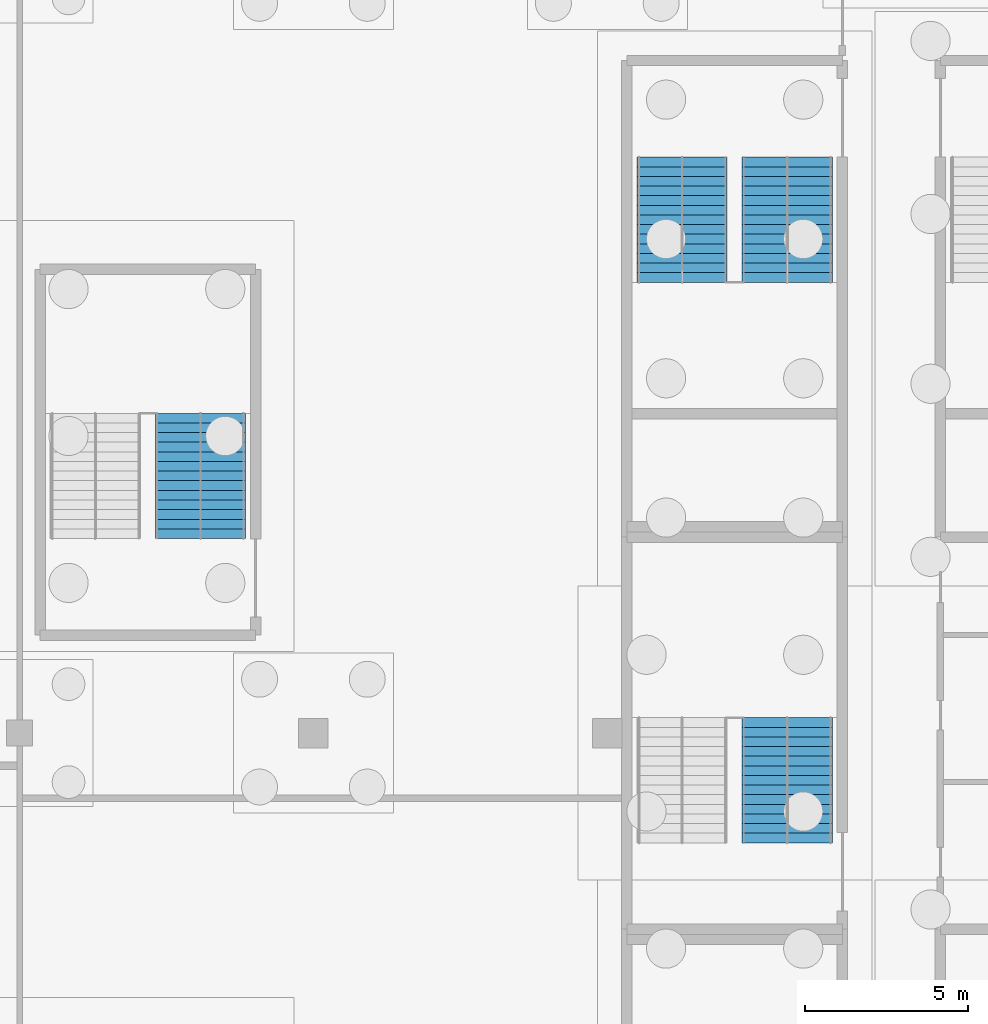
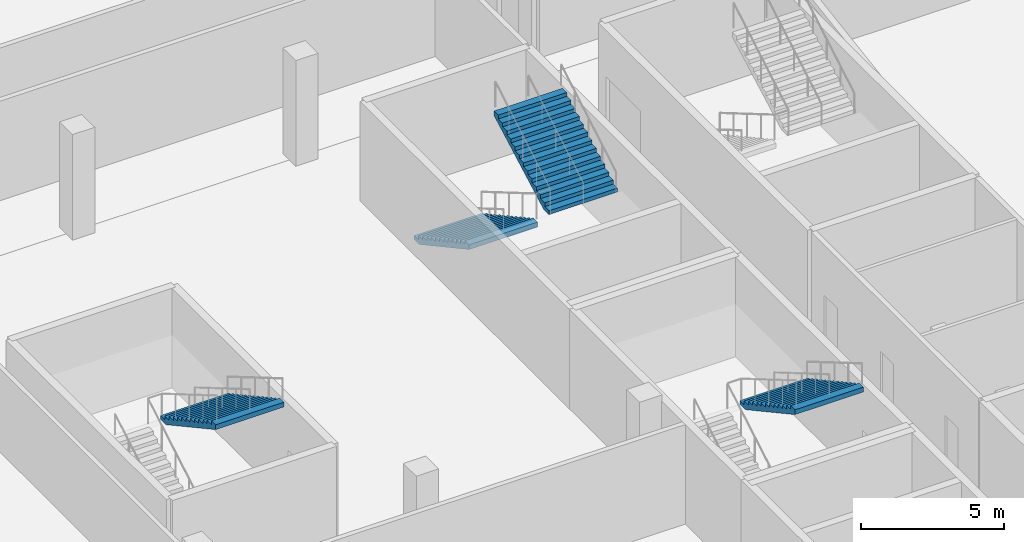
# One storey, part 37 of 46: 4 stair flights, 3 elements without a shape of their own.
"""IFC4 building model written with IfcOpenShell, lengths in metres."""

import ifcopenshell
import ifcopenshell.guid

model = None  # the IFC model being written
_history = None  # IfcOwnerHistory: only IFC2X3 demands one
_inside = {}  # id of a spatial element -> (the spatial element, [elements in it])
_under = {}  # id of a project, library or spatial element -> (it, [spatial elements below it])
_declared = {}  # id of a project -> (the project, [libraries it declares])
_typed = {}  # id of a type object -> (the type object, [elements of that type])
_made_of = {}  # id of a material, layer set ... -> (it, [elements and type objects made of it])


def new_model(schema):
    """Start an empty IFC model of exactly this schema.

    Asked for "IFC4X3", IfcOpenShell would pick the latest addendum, in which some entities
    have other attributes; the version numbers below select the first issue.
    IFC2X3 requires an IfcOwnerHistory on every rooted entity: one is made here for all.
    """
    global model, _history
    if schema == "IFC4X3":
        model = ifcopenshell.file(schema_version=(4, 3, 0, 0))
    else:
        model = ifcopenshell.file(schema=schema)
    _inside.clear()
    _under.clear()
    _declared.clear()
    _typed.clear()
    _made_of.clear()
    _history = None
    if model.schema == "IFC2X3":
        org = make("IfcOrganization", Name="unknown")
        user = make(
            "IfcPersonAndOrganization",
            ThePerson=make("IfcPerson", FamilyName="unknown"),
            TheOrganization=org,
        )
        app = make(
            "IfcApplication",
            ApplicationDeveloper=org,
            Version="unknown",
            ApplicationFullName="unknown",
            ApplicationIdentifier="unknown",
        )
        _history = make(
            "IfcOwnerHistory",
            OwningUser=user,
            OwningApplication=app,
            ChangeAction="ADDED",
            CreationDate=0,
        )
    return model


def make(cls, **values):
    """One entity of the class cls with the attributes given. An attribute that is None is left unset."""
    return model.create_entity(
        cls, **{name: value for name, value in values.items() if value is not None}
    )


def rooted(cls, **values):
    """An entity with a GlobalId (a new one), such as an element, a storey or a relation."""
    return make(cls, GlobalId=ifcopenshell.guid.new(), OwnerHistory=_history, **values)


def si_unit(unit_type, name, prefix=None):
    """IfcSIUnit, for example si_unit("LENGTHUNIT", "METRE", prefix="MILLI")."""
    return make("IfcSIUnit", UnitType=unit_type, Prefix=prefix, Name=name)


def assignment(units):
    """IfcUnitAssignment: the units of a project."""
    return None if units is None else make("IfcUnitAssignment", Units=units)


def point(xyz):
    """IfcCartesianPoint."""
    return None if xyz is None else make("IfcCartesianPoint", Coordinates=xyz)


def direction(xyz):
    """IfcDirection."""
    return None if xyz is None else make("IfcDirection", DirectionRatios=xyz)


def frame(location, z_axis=None, x_axis=None):
    """IfcAxis2Placement3D, a coordinate frame: its origin and axes. An axis left out is left unset."""
    return make(
        "IfcAxis2Placement3D",
        Location=point(location),
        Axis=direction(z_axis),
        RefDirection=direction(x_axis),
    )


def origin():
    """The frame at (0, 0, 0) with its axes left unset."""
    return frame((0.0, 0.0, 0.0))


def place(relative_to, where):
    """IfcLocalPlacement: puts the frame where relative to a parent placement (None: the world)."""
    return make(
        "IfcLocalPlacement", PlacementRelTo=relative_to, RelativePlacement=where
    )


def context(
    kind, dimensions, precision=None, world=None, true_north=None, identifier=None
):
    """IfcGeometricRepresentationContext, for example the 3D "Model" context."""
    return make(
        "IfcGeometricRepresentationContext",
        ContextIdentifier=identifier,
        ContextType=kind,
        CoordinateSpaceDimension=dimensions,
        Precision=precision,
        WorldCoordinateSystem=world,
        TrueNorth=true_north,
    )


def subcontext(parent, identifier, kind, view, scale=None):
    """IfcGeometricRepresentationSubContext, for example "Body" below "Model"."""
    return make(
        "IfcGeometricRepresentationSubContext",
        ContextIdentifier=identifier,
        ContextType=kind,
        ParentContext=parent,
        TargetScale=scale,
        TargetView=view,
    )


def project(units=None, contexts=None):
    """IfcProject with its units and contexts."""
    return rooted(
        "IfcProject",
        Name="project",
        RepresentationContexts=contexts,
        UnitsInContext=assignment(units),
    )


def spatial(cls, under=None, at=None, **own):
    """A site, building, storey or space (cls), placed at a placement, below another one or the project."""
    s = rooted(cls, ObjectPlacement=at, **own)
    if under is not None:
        _under.setdefault(under.id(), (under, []))[1].append(s)
    return s


def point_list(points):
    """IfcCartesianPointList2D or 3D."""
    cls = (
        "IfcCartesianPointList2D" if len(points[0]) == 2 else "IfcCartesianPointList3D"
    )
    return make(cls, CoordList=points)


def polygons(points, faces, closed=None, point_numbers=None):
    """IfcPolygonalFaceSet: a face is its outer loop, then its inner loops; points numbered from 1."""
    made = []
    for loops in faces:
        if len(loops) == 1:
            made.append(make("IfcIndexedPolygonalFace", CoordIndex=loops[0]))
        else:
            made.append(
                make(
                    "IfcIndexedPolygonalFaceWithVoids",
                    CoordIndex=loops[0],
                    InnerCoordIndices=loops[1:],
                )
            )
    return make(
        "IfcPolygonalFaceSet",
        Coordinates=point_list(points),
        Closed=closed,
        Faces=made,
        PnIndex=point_numbers,
    )


def shape(context_of_items, identifier, shape_type, items):
    """IfcShapeRepresentation: the items that make up one representation, for example the "Body"."""
    return make(
        "IfcShapeRepresentation",
        ContextOfItems=context_of_items,
        RepresentationIdentifier=identifier,
        RepresentationType=shape_type,
        Items=items,
    )


def material(Name=None, Category=None):
    """IfcMaterial."""
    return make("IfcMaterial", Name=Name, Category=Category)


def made_of(thing, what):
    """Note that an element or type object is made of a material, layer set ...; save() writes the relation."""
    if what is not None:
        _made_of.setdefault(what.id(), (what, []))[1].append(thing)
    return thing


def type_object(cls, material=None, **own):
    """A type object (cls), such as IfcWallType, which elements share."""
    return made_of(rooted(cls, **own), material)


def element(
    cls,
    number,
    at=None,
    inside=None,
    cuts=None,
    type_object=None,
    material=None,
    context=None,
    identifier="Body",
    shape_type=None,
    held_by="IfcProductDefinitionShape",
    body=None,
    shapes=None,
    **own,
):
    """One element of the class cls, such as IfcWall. Its Tag is "e" and its number.

    at: its placement. inside: the storey or other place that contains it. cuts: it is an
    opening in that element (IfcRelVoidsElement). A single representation is given by context,
    identifier, shape_type and body (its items); several are given by shapes. held_by: the class
    of the entity that holds the representations. save() writes the other relations.
    """
    e = rooted(cls, Tag="e%d" % number, ObjectPlacement=at, **own)
    if body is not None:
        shapes = [shape(context, identifier, shape_type, body)]
    if shapes is not None:
        e.Representation = make(held_by, Representations=shapes)
    if inside is not None:
        _inside.setdefault(inside.id(), (inside, []))[1].append(e)
    if cuts is not None:
        rooted(
            "IfcRelVoidsElement", RelatingBuildingElement=cuts, RelatedOpeningElement=e
        )
    if type_object is not None:
        _typed.setdefault(type_object.id(), (type_object, []))[1].append(e)
    return made_of(e, material)


def aggregate(whole, parts):
    """IfcRelAggregates: a whole, such as a stair, and the parts it consists of."""
    return rooted("IfcRelAggregates", RelatingObject=whole, RelatedObjects=parts)


def save(model, path):
    """Write the relations noted so far, then the file.

    IfcRelAggregates (storeys below a building ...), IfcRelContainedInSpatialStructure (elements
    in a storey), IfcRelDefinesByType, IfcRelAssociatesMaterial and IfcRelDeclares: one each for
    every whole, place, type object, material and project.
    """
    for whole, parts in _under.values():
        aggregate(whole, parts)
    for where, things in _inside.values():
        rooted(
            "IfcRelContainedInSpatialStructure",
            RelatedElements=things,
            RelatingStructure=where,
        )
    for kind, things in _typed.values():
        rooted("IfcRelDefinesByType", RelatedObjects=things, RelatingType=kind)
    for what, things in _made_of.values():
        rooted("IfcRelAssociatesMaterial", RelatedObjects=things, RelatingMaterial=what)
    for by, libraries in _declared.values():
        rooted("IfcRelDeclares", RelatingContext=by, RelatedDefinitions=libraries)
    model.write(path)


model = new_model("IFC4")

# Units and contexts
model_context = context("Model", 3, precision=1e-05, world=origin(), true_north=direction((0.0, 1.0)))
body_context = subcontext(model_context, "Body", "Model", "MODEL_VIEW")
ifc_project = project(units=[si_unit("LENGTHUNIT", "METRE"), si_unit("AREAUNIT", "SQUARE_METRE"), si_unit("VOLUMEUNIT", "CUBIC_METRE"), si_unit("PLANEANGLEUNIT", "RADIAN"), si_unit("MASSUNIT", "GRAM", prefix="KILO")], contexts=[model_context])

# Site, building, storey
site_placement = place(None, origin())
site = spatial("IfcSite", under=ifc_project, at=site_placement, CompositionType="ELEMENT")
building_placement = place(site_placement, origin())
building = spatial("IfcBuilding", under=site, at=building_placement, Name="Kisiwana Market Hall", CompositionType="ELEMENT")
storey_placement = place(building_placement, frame((0.0, 0.0, -4.5)))
storey = spatial("IfcBuildingStorey", under=building, at=storey_placement, Name="B1", CompositionType="ELEMENT", Elevation=-4.5)

# Stair, stair flights
ifc_material_1 = material(Name="Concrete C32/40", Category="concrete")
stair_type = type_object("IfcStairType", Name="ST-ESC-4500", PredefinedType="TWO_STRAIGHT_RUN_STAIR", material=ifc_material_1)
stair_1_placement = place(storey_placement, origin())
stair_1 = element("IfcStair", 1, at=stair_1_placement, inside=storey, type_object=stair_type, Name="Escape stair ST-E8-B1", PredefinedType="TWO_STRAIGHT_RUN_STAIR")
ifc_material_2 = material(Name="Concrete C32/40", Category="concrete")
stair_flight_type = type_object("IfcStairFlightType", Name="SF-ESC-4500", PredefinedType="STRAIGHT", material=ifc_material_2)
stair_flight_1_placement = place(storey_placement, frame((173.2900390625, 77.639892578125, 0.0), z_axis=(0.0, 0.0, 1.0), x_axis=(0.0, -1.0, 0.0)))
stair_flight_1 = element("IfcStairFlight", 2, at=stair_flight_1_placement, type_object=stair_flight_type, Name="ST-E8-B1 flight 1", NumberOfRisers=14, NumberOfTreads=13, PredefinedType="STRAIGHT", RiserHeight=0.160714, TreadLength=0.295, context=body_context, shape_type="Tessellation", body=[
    polygons([(0.0, -1.380127, 0.0), (0.0, -0.690125, 0.0), (0.0, -0.000122, 0.0), (0.0, 0.68988, 0.0), (0.0, 1.379883, 0.0), (0.0, -1.380127, 0.160645), (0.0, -0.690125, 0.160645), (0.0, -0.000122, 0.160645), (0.0, 0.68988, 0.160645), (0.0, 1.379883, 0.160645), (0.294922, -1.380127, 0.160645), (0.294922, -0.690125, 0.160645), (0.294922, -0.000122, 0.160645), (0.294922, 0.68988, 0.160645), (0.294922, 1.379883, 0.160645), (0.294922, -1.380127, 0.321533), (0.294922, -0.690125, 0.321533), (0.294922, -0.000122, 0.321533), (0.294922, 0.68988, 0.321533), (0.294922, 1.379883, 0.321533), (0.590088, -1.380127, 0.321533), (0.590088, -0.690125, 0.321533), (0.590088, -0.000122, 0.321533), (0.590088, 0.68988, 0.321533), (0.590088, 1.379883, 0.321533), (0.590088, -1.380127, 0.482178), (0.590088, -0.690125, 0.482178), (0.590088, -0.000122, 0.482178), (0.590088, 0.68988, 0.482178), (0.590088, 1.379883, 0.482178), (0.88501, -1.380127, 0.482178), (0.88501, -0.690125, 0.482178), (0.88501, -0.000122, 0.482178), (0.88501, 0.68988, 0.482178), (0.88501, 1.379883, 0.482178), (0.88501, -1.380127, 0.642822), (0.88501, -0.690125, 0.642822), (0.88501, -0.000122, 0.642822), (0.88501, 0.68988, 0.642822), (0.88501, 1.379883, 0.642822), (1.179932, -1.380127, 0.642822), (1.179932, -0.690125, 0.642822), (1.179932, -0.000122, 0.642822), (1.179932, 0.68988, 0.642822), (1.179932, 1.379883, 0.642822), (1.179932, -1.380127, 0.803467), (1.179932, -0.690125, 0.803467), (1.179932, -0.000122, 0.803467), (1.179932, 0.68988, 0.803467), (1.179932, 1.379883, 0.803467), (1.475098, -1.380127, 0.803467), (1.475098, -0.690125, 0.803467), (1.475098, -0.000122, 0.803467), (1.475098, 0.68988, 0.803467), (1.475098, 1.379883, 0.803467), (1.475098, -1.380127, 0.964355), (1.475098, -0.690125, 0.964355), (1.475098, -0.000122, 0.964355), (1.475098, 0.68988, 0.964355), (1.475098, 1.379883, 0.964355), (1.77002, -1.380127, 0.964355), (1.77002, -0.690125, 0.964355), (1.77002, -0.000122, 0.964355), (1.77002, 0.68988, 0.964355), (1.77002, 1.379883, 0.964355), (1.77002, -1.380127, 1.125), (1.77002, -0.690125, 1.125), (1.77002, -0.000122, 1.125), (1.77002, 0.68988, 1.125), (1.77002, 1.379883, 1.125), (2.064941, -1.380127, 1.125), (2.064941, -0.690125, 1.125), (2.064941, -0.000122, 1.125), (2.064941, 0.68988, 1.125), (2.064941, 1.379883, 1.125), (2.064941, -1.380127, 1.285645), (2.064941, -0.690125, 1.285645), (2.064941, -0.000122, 1.285645), (2.064941, 0.68988, 1.285645), (2.064941, 1.379883, 1.285645), (2.360107, -1.380127, 1.285645), (2.360107, -0.690125, 1.285645), (2.360107, -0.000122, 1.285645), (2.360107, 0.68988, 1.285645), (2.360107, 1.379883, 1.285645), (2.360107, -1.380127, 1.446533), (2.360107, -0.690125, 1.446533), (2.360107, -0.000122, 1.446533), (2.360107, 0.68988, 1.446533), (2.360107, 1.379883, 1.446533), (2.655029, -1.380127, 1.446533), (2.655029, -0.690125, 1.446533), (2.655029, -0.000122, 1.446533), (2.655029, 0.68988, 1.446533), (2.655029, 1.379883, 1.446533), (2.655029, -1.380127, 1.607178), (2.655029, -0.690125, 1.607178), (2.655029, -0.000122, 1.607178), (2.655029, 0.68988, 1.607178), (2.655029, 1.379883, 1.607178), (2.949951, -1.380127, 1.607178), (2.949951, -0.690125, 1.607178), (2.949951, -0.000122, 1.607178), (2.949951, 0.68988, 1.607178), (2.949951, 1.379883, 1.607178), (2.949951, -1.380127, 1.767822), (2.949951, -0.690125, 1.767822), (2.949951, -0.000122, 1.767822), (2.949951, 0.68988, 1.767822), (2.949951, 1.379883, 1.767822), (3.245117, -1.380127, 1.767822), (3.245117, -0.690125, 1.767822), (3.245117, -0.000122, 1.767822), (3.245117, 0.68988, 1.767822), (3.245117, 1.379883, 1.767822), (3.245117, -1.380127, 1.928467), (3.245117, -0.690125, 1.928467), (3.245117, -0.000122, 1.928467), (3.245117, 0.68988, 1.928467), (3.245117, 1.379883, 1.928467), (3.540039, -1.380127, 1.928467), (3.540039, -0.690125, 1.928467), (3.540039, -0.000122, 1.928467), (3.540039, 0.68988, 1.928467), (3.540039, 1.379883, 1.928467), (3.540039, -1.380127, 2.089355), (3.540039, -0.690125, 2.089355), (3.540039, -0.000122, 2.089355), (3.540039, 0.68988, 2.089355), (3.540039, 1.379883, 2.089355), (3.834961, -1.380127, 2.089355), (3.834961, -0.690125, 2.089355), (3.834961, -0.000122, 2.089355), (3.834961, 0.68988, 2.089355), (3.834961, 1.379883, 2.089355), (3.834961, -1.380127, 1.884277), (3.834961, -0.690125, 1.884277), (3.834961, -0.000122, 1.884277), (3.834961, 0.68988, 1.884277), (3.834961, 1.379883, 1.884277), (0.376221, -1.380127, 0.0), (0.376221, -0.690125, 0.0), (0.376221, -0.000122, 0.0), (0.376221, 0.68988, 0.0), (0.376221, 1.379883, 0.0)], [[[1, 6, 7, 2]], [[2, 7, 8, 3]], [[3, 8, 9, 4]], [[4, 9, 10, 5]], [[6, 11, 12, 7]], [[7, 12, 13, 8]], [[8, 13, 14, 9]], [[9, 14, 15, 10]], [[11, 16, 17, 12]], [[12, 17, 18, 13]], [[13, 18, 19, 14]], [[14, 19, 20, 15]], [[16, 21, 22, 17]], [[17, 22, 23, 18]], [[18, 23, 24, 19]], [[19, 24, 25, 20]], [[21, 26, 27, 22]], [[22, 27, 28, 23]], [[23, 28, 29, 24]], [[24, 29, 30, 25]], [[26, 31, 32, 27]], [[27, 32, 33, 28]], [[28, 33, 34, 29]], [[29, 34, 35, 30]], [[31, 36, 37, 32]], [[32, 37, 38, 33]], [[33, 38, 39, 34]], [[34, 39, 40, 35]], [[36, 41, 42, 37]], [[37, 42, 43, 38]], [[38, 43, 44, 39]], [[39, 44, 45, 40]], [[41, 46, 47, 42]], [[42, 47, 48, 43]], [[43, 48, 49, 44]], [[44, 49, 50, 45]], [[46, 51, 52, 47]], [[47, 52, 53, 48]], [[48, 53, 54, 49]], [[49, 54, 55, 50]], [[51, 56, 57, 52]], [[52, 57, 58, 53]], [[53, 58, 59, 54]], [[54, 59, 60, 55]], [[56, 61, 62, 57]], [[57, 62, 63, 58]], [[58, 63, 64, 59]], [[59, 64, 65, 60]], [[61, 66, 67, 62]], [[62, 67, 68, 63]], [[63, 68, 69, 64]], [[64, 69, 70, 65]], [[66, 71, 72, 67]], [[67, 72, 73, 68]], [[68, 73, 74, 69]], [[69, 74, 75, 70]], [[71, 76, 77, 72]], [[72, 77, 78, 73]], [[73, 78, 79, 74]], [[74, 79, 80, 75]], [[76, 81, 82, 77]], [[77, 82, 83, 78]], [[78, 83, 84, 79]], [[79, 84, 85, 80]], [[81, 86, 87, 82]], [[82, 87, 88, 83]], [[83, 88, 89, 84]], [[84, 89, 90, 85]], [[86, 91, 92, 87]], [[87, 92, 93, 88]], [[88, 93, 94, 89]], [[89, 94, 95, 90]], [[91, 96, 97, 92]], [[92, 97, 98, 93]], [[93, 98, 99, 94]], [[94, 99, 100, 95]], [[96, 101, 102, 97]], [[97, 102, 103, 98]], [[98, 103, 104, 99]], [[99, 104, 105, 100]], [[101, 106, 107, 102]], [[102, 107, 108, 103]], [[103, 108, 109, 104]], [[104, 109, 110, 105]], [[106, 111, 112, 107]], [[107, 112, 113, 108]], [[108, 113, 114, 109]], [[109, 114, 115, 110]], [[111, 116, 117, 112]], [[112, 117, 118, 113]], [[113, 118, 119, 114]], [[114, 119, 120, 115]], [[116, 121, 122, 117]], [[117, 122, 123, 118]], [[118, 123, 124, 119]], [[119, 124, 125, 120]], [[121, 126, 127, 122]], [[122, 127, 128, 123]], [[123, 128, 129, 124]], [[124, 129, 130, 125]], [[126, 131, 132, 127]], [[127, 132, 133, 128]], [[128, 133, 134, 129]], [[129, 134, 135, 130]], [[131, 136, 137, 132]], [[132, 137, 138, 133]], [[133, 138, 139, 134]], [[134, 139, 140, 135]], [[136, 141, 142, 137]], [[137, 142, 143, 138]], [[138, 143, 144, 139]], [[139, 144, 145, 140]], [[141, 1, 2, 142]], [[142, 2, 3, 143]], [[143, 3, 4, 144]], [[144, 4, 5, 145]], [[141, 136, 131, 126, 121, 116, 111, 106, 101, 96, 91, 86, 81, 76, 71, 66, 61, 56, 51, 46, 41, 36, 31, 26, 21, 16, 11, 6, 1]], [[5, 10, 15, 20, 25, 30, 35, 40, 45, 50, 55, 60, 65, 70, 75, 80, 85, 90, 95, 100, 105, 110, 115, 120, 125, 130, 135, 140, 145]]], closed=True),
])
stair_flight_2_placement = place(storey_placement, frame((176.510009765625, 73.804931640625, 2.25), z_axis=(0.0, 0.0, 1.0), x_axis=(0.0, 1.0, 0.0)))
stair_flight_2 = element("IfcStairFlight", 3, at=stair_flight_2_placement, type_object=stair_flight_type, Name="ST-E8-B1 flight 2", NumberOfRisers=14, NumberOfTreads=13, PredefinedType="STRAIGHT", RiserHeight=0.160714, TreadLength=0.295, context=body_context, shape_type="Tessellation", body=[
    polygons([(0.0, -1.380127, 0.0), (0.0, -0.690125, 0.0), (0.0, -0.000122, 0.0), (0.0, 0.68988, 0.0), (0.0, 1.379883, 0.0), (0.0, -1.380127, 0.160645), (0.0, -0.690125, 0.160645), (0.0, -0.000122, 0.160645), (0.0, 0.68988, 0.160645), (0.0, 1.379883, 0.160645), (0.294922, -1.380127, 0.160645), (0.294922, -0.690125, 0.160645), (0.294922, -0.000122, 0.160645), (0.294922, 0.68988, 0.160645), (0.294922, 1.379883, 0.160645), (0.294922, -1.380127, 0.321533), (0.294922, -0.690125, 0.321533), (0.294922, -0.000122, 0.321533), (0.294922, 0.68988, 0.321533), (0.294922, 1.379883, 0.321533), (0.590088, -1.380127, 0.321533), (0.590088, -0.690125, 0.321533), (0.590088, -0.000122, 0.321533), (0.590088, 0.68988, 0.321533), (0.590088, 1.379883, 0.321533), (0.590088, -1.380127, 0.482178), (0.590088, -0.690125, 0.482178), (0.590088, -0.000122, 0.482178), (0.590088, 0.68988, 0.482178), (0.590088, 1.379883, 0.482178), (0.88501, -1.380127, 0.482178), (0.88501, -0.690125, 0.482178), (0.88501, -0.000122, 0.482178), (0.88501, 0.68988, 0.482178), (0.88501, 1.379883, 0.482178), (0.88501, -1.380127, 0.642822), (0.88501, -0.690125, 0.642822), (0.88501, -0.000122, 0.642822), (0.88501, 0.68988, 0.642822), (0.88501, 1.379883, 0.642822), (1.179932, -1.380127, 0.642822), (1.179932, -0.690125, 0.642822), (1.179932, -0.000122, 0.642822), (1.179932, 0.68988, 0.642822), (1.179932, 1.379883, 0.642822), (1.179932, -1.380127, 0.803467), (1.179932, -0.690125, 0.803467), (1.179932, -0.000122, 0.803467), (1.179932, 0.68988, 0.803467), (1.179932, 1.379883, 0.803467), (1.475098, -1.380127, 0.803467), (1.475098, -0.690125, 0.803467), (1.475098, -0.000122, 0.803467), (1.475098, 0.68988, 0.803467), (1.475098, 1.379883, 0.803467), (1.475098, -1.380127, 0.964355), (1.475098, -0.690125, 0.964355), (1.475098, -0.000122, 0.964355), (1.475098, 0.68988, 0.964355), (1.475098, 1.379883, 0.964355), (1.77002, -1.380127, 0.964355), (1.77002, -0.690125, 0.964355), (1.77002, -0.000122, 0.964355), (1.77002, 0.68988, 0.964355), (1.77002, 1.379883, 0.964355), (1.77002, -1.380127, 1.125), (1.77002, -0.690125, 1.125), (1.77002, -0.000122, 1.125), (1.77002, 0.68988, 1.125), (1.77002, 1.379883, 1.125), (2.064941, -1.380127, 1.125), (2.064941, -0.690125, 1.125), (2.064941, -0.000122, 1.125), (2.064941, 0.68988, 1.125), (2.064941, 1.379883, 1.125), (2.064941, -1.380127, 1.285645), (2.064941, -0.690125, 1.285645), (2.064941, -0.000122, 1.285645), (2.064941, 0.68988, 1.285645), (2.064941, 1.379883, 1.285645), (2.360107, -1.380127, 1.285645), (2.360107, -0.690125, 1.285645), (2.360107, -0.000122, 1.285645), (2.360107, 0.68988, 1.285645), (2.360107, 1.379883, 1.285645), (2.360107, -1.380127, 1.446533), (2.360107, -0.690125, 1.446533), (2.360107, -0.000122, 1.446533), (2.360107, 0.68988, 1.446533), (2.360107, 1.379883, 1.446533), (2.655029, -1.380127, 1.446533), (2.655029, -0.690125, 1.446533), (2.655029, -0.000122, 1.446533), (2.655029, 0.68988, 1.446533), (2.655029, 1.379883, 1.446533), (2.655029, -1.380127, 1.607178), (2.655029, -0.690125, 1.607178), (2.655029, -0.000122, 1.607178), (2.655029, 0.68988, 1.607178), (2.655029, 1.379883, 1.607178), (2.949951, -1.380127, 1.607178), (2.949951, -0.690125, 1.607178), (2.949951, -0.000122, 1.607178), (2.949951, 0.68988, 1.607178), (2.949951, 1.379883, 1.607178), (2.949951, -1.380127, 1.767822), (2.949951, -0.690125, 1.767822), (2.949951, -0.000122, 1.767822), (2.949951, 0.68988, 1.767822), (2.949951, 1.379883, 1.767822), (3.245117, -1.380127, 1.767822), (3.245117, -0.690125, 1.767822), (3.245117, -0.000122, 1.767822), (3.245117, 0.68988, 1.767822), (3.245117, 1.379883, 1.767822), (3.245117, -1.380127, 1.928467), (3.245117, -0.690125, 1.928467), (3.245117, -0.000122, 1.928467), (3.245117, 0.68988, 1.928467), (3.245117, 1.379883, 1.928467), (3.540039, -1.380127, 1.928467), (3.540039, -0.690125, 1.928467), (3.540039, -0.000122, 1.928467), (3.540039, 0.68988, 1.928467), (3.540039, 1.379883, 1.928467), (3.540039, -1.380127, 2.089355), (3.540039, -0.690125, 2.089355), (3.540039, -0.000122, 2.089355), (3.540039, 0.68988, 2.089355), (3.540039, 1.379883, 2.089355), (3.834961, -1.380127, 2.089355), (3.834961, -0.690125, 2.089355), (3.834961, -0.000122, 2.089355), (3.834961, 0.68988, 2.089355), (3.834961, 1.379883, 2.089355), (3.834961, -1.380127, 1.884277), (3.834961, -0.690125, 1.884277), (3.834961, -0.000122, 1.884277), (3.834961, 0.68988, 1.884277), (3.834961, 1.379883, 1.884277), (0.376221, -1.380127, 0.0), (0.376221, -0.690125, 0.0), (0.376221, -0.000122, 0.0), (0.376221, 0.68988, 0.0), (0.376221, 1.379883, 0.0)], [[[1, 6, 7, 2]], [[2, 7, 8, 3]], [[3, 8, 9, 4]], [[4, 9, 10, 5]], [[6, 11, 12, 7]], [[7, 12, 13, 8]], [[8, 13, 14, 9]], [[9, 14, 15, 10]], [[11, 16, 17, 12]], [[12, 17, 18, 13]], [[13, 18, 19, 14]], [[14, 19, 20, 15]], [[16, 21, 22, 17]], [[17, 22, 23, 18]], [[18, 23, 24, 19]], [[19, 24, 25, 20]], [[21, 26, 27, 22]], [[22, 27, 28, 23]], [[23, 28, 29, 24]], [[24, 29, 30, 25]], [[26, 31, 32, 27]], [[27, 32, 33, 28]], [[28, 33, 34, 29]], [[29, 34, 35, 30]], [[31, 36, 37, 32]], [[32, 37, 38, 33]], [[33, 38, 39, 34]], [[34, 39, 40, 35]], [[36, 41, 42, 37]], [[37, 42, 43, 38]], [[38, 43, 44, 39]], [[39, 44, 45, 40]], [[41, 46, 47, 42]], [[42, 47, 48, 43]], [[43, 48, 49, 44]], [[44, 49, 50, 45]], [[46, 51, 52, 47]], [[47, 52, 53, 48]], [[48, 53, 54, 49]], [[49, 54, 55, 50]], [[51, 56, 57, 52]], [[52, 57, 58, 53]], [[53, 58, 59, 54]], [[54, 59, 60, 55]], [[56, 61, 62, 57]], [[57, 62, 63, 58]], [[58, 63, 64, 59]], [[59, 64, 65, 60]], [[61, 66, 67, 62]], [[62, 67, 68, 63]], [[63, 68, 69, 64]], [[64, 69, 70, 65]], [[66, 71, 72, 67]], [[67, 72, 73, 68]], [[68, 73, 74, 69]], [[69, 74, 75, 70]], [[71, 76, 77, 72]], [[72, 77, 78, 73]], [[73, 78, 79, 74]], [[74, 79, 80, 75]], [[76, 81, 82, 77]], [[77, 82, 83, 78]], [[78, 83, 84, 79]], [[79, 84, 85, 80]], [[81, 86, 87, 82]], [[82, 87, 88, 83]], [[83, 88, 89, 84]], [[84, 89, 90, 85]], [[86, 91, 92, 87]], [[87, 92, 93, 88]], [[88, 93, 94, 89]], [[89, 94, 95, 90]], [[91, 96, 97, 92]], [[92, 97, 98, 93]], [[93, 98, 99, 94]], [[94, 99, 100, 95]], [[96, 101, 102, 97]], [[97, 102, 103, 98]], [[98, 103, 104, 99]], [[99, 104, 105, 100]], [[101, 106, 107, 102]], [[102, 107, 108, 103]], [[103, 108, 109, 104]], [[104, 109, 110, 105]], [[106, 111, 112, 107]], [[107, 112, 113, 108]], [[108, 113, 114, 109]], [[109, 114, 115, 110]], [[111, 116, 117, 112]], [[112, 117, 118, 113]], [[113, 118, 119, 114]], [[114, 119, 120, 115]], [[116, 121, 122, 117]], [[117, 122, 123, 118]], [[118, 123, 124, 119]], [[119, 124, 125, 120]], [[121, 126, 127, 122]], [[122, 127, 128, 123]], [[123, 128, 129, 124]], [[124, 129, 130, 125]], [[126, 131, 132, 127]], [[127, 132, 133, 128]], [[128, 133, 134, 129]], [[129, 134, 135, 130]], [[131, 136, 137, 132]], [[132, 137, 138, 133]], [[133, 138, 139, 134]], [[134, 139, 140, 135]], [[136, 141, 142, 137]], [[137, 142, 143, 138]], [[138, 143, 144, 139]], [[139, 144, 145, 140]], [[141, 1, 2, 142]], [[142, 2, 3, 143]], [[143, 3, 4, 144]], [[144, 4, 5, 145]], [[141, 136, 131, 126, 121, 116, 111, 106, 101, 96, 91, 86, 81, 76, 71, 66, 61, 56, 51, 46, 41, 36, 31, 26, 21, 16, 11, 6, 1]], [[5, 10, 15, 20, 25, 30, 35, 40, 45, 50, 55, 60, 65, 70, 75, 80, 85, 90, 95, 100, 105, 110, 115, 120, 125, 130, 135, 140, 145]]], closed=True),
])
aggregate(stair_1, [stair_flight_1, stair_flight_2])

# Stair, stair flight
stair_2_placement = place(storey_placement, origin())
stair_2 = element("IfcStair", 4, at=stair_2_placement, inside=storey, type_object=stair_type, Name="Escape stair ST-E10-B1", PredefinedType="TWO_STRAIGHT_RUN_STAIR")
stair_flight_3_placement = place(storey_placement, frame((158.5400390625, 69.794921875, 2.25), z_axis=(0.0, 0.0, 1.0), x_axis=(0.0, -1.0, 0.0)))
stair_flight_3 = element("IfcStairFlight", 5, at=stair_flight_3_placement, type_object=stair_flight_type, Name="ST-E10-B1 flight 2", NumberOfRisers=14, NumberOfTreads=13, PredefinedType="STRAIGHT", RiserHeight=0.160714, TreadLength=0.295, context=body_context, shape_type="Tessellation", body=[
    polygons([(0.0, -1.380127, 0.0), (0.0, -0.690125, 0.0), (0.0, -0.000122, 0.0), (0.0, 0.68988, 0.0), (0.0, 1.379883, 0.0), (0.0, -1.380127, 0.160645), (0.0, -0.690125, 0.160645), (0.0, -0.000122, 0.160645), (0.0, 0.68988, 0.160645), (0.0, 1.379883, 0.160645), (0.294922, -1.380127, 0.160645), (0.294922, -0.690125, 0.160645), (0.294922, -0.000122, 0.160645), (0.294922, 0.68988, 0.160645), (0.294922, 1.379883, 0.160645), (0.294922, -1.380127, 0.321533), (0.294922, -0.690125, 0.321533), (0.294922, -0.000122, 0.321533), (0.294922, 0.68988, 0.321533), (0.294922, 1.379883, 0.321533), (0.590088, -1.380127, 0.321533), (0.590088, -0.690125, 0.321533), (0.590088, -0.000122, 0.321533), (0.590088, 0.68988, 0.321533), (0.590088, 1.379883, 0.321533), (0.590088, -1.380127, 0.482178), (0.590088, -0.690125, 0.482178), (0.590088, -0.000122, 0.482178), (0.590088, 0.68988, 0.482178), (0.590088, 1.379883, 0.482178), (0.88501, -1.380127, 0.482178), (0.88501, -0.690125, 0.482178), (0.88501, -0.000122, 0.482178), (0.88501, 0.68988, 0.482178), (0.88501, 1.379883, 0.482178), (0.88501, -1.380127, 0.642822), (0.88501, -0.690125, 0.642822), (0.88501, -0.000122, 0.642822), (0.88501, 0.68988, 0.642822), (0.88501, 1.379883, 0.642822), (1.179932, -1.380127, 0.642822), (1.179932, -0.690125, 0.642822), (1.179932, -0.000122, 0.642822), (1.179932, 0.68988, 0.642822), (1.179932, 1.379883, 0.642822), (1.179932, -1.380127, 0.803467), (1.179932, -0.690125, 0.803467), (1.179932, -0.000122, 0.803467), (1.179932, 0.68988, 0.803467), (1.179932, 1.379883, 0.803467), (1.475098, -1.380127, 0.803467), (1.475098, -0.690125, 0.803467), (1.475098, -0.000122, 0.803467), (1.475098, 0.68988, 0.803467), (1.475098, 1.379883, 0.803467), (1.475098, -1.380127, 0.964355), (1.475098, -0.690125, 0.964355), (1.475098, -0.000122, 0.964355), (1.475098, 0.68988, 0.964355), (1.475098, 1.379883, 0.964355), (1.77002, -1.380127, 0.964355), (1.77002, -0.690125, 0.964355), (1.77002, -0.000122, 0.964355), (1.77002, 0.68988, 0.964355), (1.77002, 1.379883, 0.964355), (1.77002, -1.380127, 1.125), (1.77002, -0.690125, 1.125), (1.77002, -0.000122, 1.125), (1.77002, 0.68988, 1.125), (1.77002, 1.379883, 1.125), (2.064941, -1.380127, 1.125), (2.064941, -0.690125, 1.125), (2.064941, -0.000122, 1.125), (2.064941, 0.68988, 1.125), (2.064941, 1.379883, 1.125), (2.064941, -1.380127, 1.285645), (2.064941, -0.690125, 1.285645), (2.064941, -0.000122, 1.285645), (2.064941, 0.68988, 1.285645), (2.064941, 1.379883, 1.285645), (2.360107, -1.380127, 1.285645), (2.360107, -0.690125, 1.285645), (2.360107, -0.000122, 1.285645), (2.360107, 0.68988, 1.285645), (2.360107, 1.379883, 1.285645), (2.360107, -1.380127, 1.446533), (2.360107, -0.690125, 1.446533), (2.360107, -0.000122, 1.446533), (2.360107, 0.68988, 1.446533), (2.360107, 1.379883, 1.446533), (2.655029, -1.380127, 1.446533), (2.655029, -0.690125, 1.446533), (2.655029, -0.000122, 1.446533), (2.655029, 0.68988, 1.446533), (2.655029, 1.379883, 1.446533), (2.655029, -1.380127, 1.607178), (2.655029, -0.690125, 1.607178), (2.655029, -0.000122, 1.607178), (2.655029, 0.68988, 1.607178), (2.655029, 1.379883, 1.607178), (2.949951, -1.380127, 1.607178), (2.949951, -0.690125, 1.607178), (2.949951, -0.000122, 1.607178), (2.949951, 0.68988, 1.607178), (2.949951, 1.379883, 1.607178), (2.949951, -1.380127, 1.767822), (2.949951, -0.690125, 1.767822), (2.949951, -0.000122, 1.767822), (2.949951, 0.68988, 1.767822), (2.949951, 1.379883, 1.767822), (3.245117, -1.380127, 1.767822), (3.245117, -0.690125, 1.767822), (3.245117, -0.000122, 1.767822), (3.245117, 0.68988, 1.767822), (3.245117, 1.379883, 1.767822), (3.245117, -1.380127, 1.928467), (3.245117, -0.690125, 1.928467), (3.245117, -0.000122, 1.928467), (3.245117, 0.68988, 1.928467), (3.245117, 1.379883, 1.928467), (3.540039, -1.380127, 1.928467), (3.540039, -0.690125, 1.928467), (3.540039, -0.000122, 1.928467), (3.540039, 0.68988, 1.928467), (3.540039, 1.379883, 1.928467), (3.540039, -1.380127, 2.089355), (3.540039, -0.690125, 2.089355), (3.540039, -0.000122, 2.089355), (3.540039, 0.68988, 2.089355), (3.540039, 1.379883, 2.089355), (3.834961, -1.380127, 2.089355), (3.834961, -0.690125, 2.089355), (3.834961, -0.000122, 2.089355), (3.834961, 0.68988, 2.089355), (3.834961, 1.379883, 2.089355), (3.834961, -1.380127, 1.884277), (3.834961, -0.690125, 1.884277), (3.834961, -0.000122, 1.884277), (3.834961, 0.68988, 1.884277), (3.834961, 1.379883, 1.884277), (0.376221, -1.380127, 0.0), (0.376221, -0.690125, 0.0), (0.376221, -0.000122, 0.0), (0.376221, 0.68988, 0.0), (0.376221, 1.379883, 0.0)], [[[1, 6, 7, 2]], [[2, 7, 8, 3]], [[3, 8, 9, 4]], [[4, 9, 10, 5]], [[6, 11, 12, 7]], [[7, 12, 13, 8]], [[8, 13, 14, 9]], [[9, 14, 15, 10]], [[11, 16, 17, 12]], [[12, 17, 18, 13]], [[13, 18, 19, 14]], [[14, 19, 20, 15]], [[16, 21, 22, 17]], [[17, 22, 23, 18]], [[18, 23, 24, 19]], [[19, 24, 25, 20]], [[21, 26, 27, 22]], [[22, 27, 28, 23]], [[23, 28, 29, 24]], [[24, 29, 30, 25]], [[26, 31, 32, 27]], [[27, 32, 33, 28]], [[28, 33, 34, 29]], [[29, 34, 35, 30]], [[31, 36, 37, 32]], [[32, 37, 38, 33]], [[33, 38, 39, 34]], [[34, 39, 40, 35]], [[36, 41, 42, 37]], [[37, 42, 43, 38]], [[38, 43, 44, 39]], [[39, 44, 45, 40]], [[41, 46, 47, 42]], [[42, 47, 48, 43]], [[43, 48, 49, 44]], [[44, 49, 50, 45]], [[46, 51, 52, 47]], [[47, 52, 53, 48]], [[48, 53, 54, 49]], [[49, 54, 55, 50]], [[51, 56, 57, 52]], [[52, 57, 58, 53]], [[53, 58, 59, 54]], [[54, 59, 60, 55]], [[56, 61, 62, 57]], [[57, 62, 63, 58]], [[58, 63, 64, 59]], [[59, 64, 65, 60]], [[61, 66, 67, 62]], [[62, 67, 68, 63]], [[63, 68, 69, 64]], [[64, 69, 70, 65]], [[66, 71, 72, 67]], [[67, 72, 73, 68]], [[68, 73, 74, 69]], [[69, 74, 75, 70]], [[71, 76, 77, 72]], [[72, 77, 78, 73]], [[73, 78, 79, 74]], [[74, 79, 80, 75]], [[76, 81, 82, 77]], [[77, 82, 83, 78]], [[78, 83, 84, 79]], [[79, 84, 85, 80]], [[81, 86, 87, 82]], [[82, 87, 88, 83]], [[83, 88, 89, 84]], [[84, 89, 90, 85]], [[86, 91, 92, 87]], [[87, 92, 93, 88]], [[88, 93, 94, 89]], [[89, 94, 95, 90]], [[91, 96, 97, 92]], [[92, 97, 98, 93]], [[93, 98, 99, 94]], [[94, 99, 100, 95]], [[96, 101, 102, 97]], [[97, 102, 103, 98]], [[98, 103, 104, 99]], [[99, 104, 105, 100]], [[101, 106, 107, 102]], [[102, 107, 108, 103]], [[103, 108, 109, 104]], [[104, 109, 110, 105]], [[106, 111, 112, 107]], [[107, 112, 113, 108]], [[108, 113, 114, 109]], [[109, 114, 115, 110]], [[111, 116, 117, 112]], [[112, 117, 118, 113]], [[113, 118, 119, 114]], [[114, 119, 120, 115]], [[116, 121, 122, 117]], [[117, 122, 123, 118]], [[118, 123, 124, 119]], [[119, 124, 125, 120]], [[121, 126, 127, 122]], [[122, 127, 128, 123]], [[123, 128, 129, 124]], [[124, 129, 130, 125]], [[126, 131, 132, 127]], [[127, 132, 133, 128]], [[128, 133, 134, 129]], [[129, 134, 135, 130]], [[131, 136, 137, 132]], [[132, 137, 138, 133]], [[133, 138, 139, 134]], [[134, 139, 140, 135]], [[136, 141, 142, 137]], [[137, 142, 143, 138]], [[138, 143, 144, 139]], [[139, 144, 145, 140]], [[141, 1, 2, 142]], [[142, 2, 3, 143]], [[143, 3, 4, 144]], [[144, 4, 5, 145]], [[141, 136, 131, 126, 121, 116, 111, 106, 101, 96, 91, 86, 81, 76, 71, 66, 61, 56, 51, 46, 41, 36, 31, 26, 21, 16, 11, 6, 1]], [[5, 10, 15, 20, 25, 30, 35, 40, 45, 50, 55, 60, 65, 70, 75, 80, 85, 90, 95, 100, 105, 110, 115, 120, 125, 130, 135, 140, 145]]], closed=True),
])
aggregate(stair_2, [stair_flight_3])

stair_3_placement = place(storey_placement, origin())
stair_3 = element("IfcStair", 6, at=stair_3_placement, inside=storey, type_object=stair_type, Name="Escape stair ST-E5-B1", PredefinedType="TWO_STRAIGHT_RUN_STAIR")
stair_flight_4_placement = place(storey_placement, frame((176.510009765625, 60.47509765625, 2.25), z_axis=(0.0, 0.0, 1.0), x_axis=(0.0, -1.0, 0.0)))
stair_flight_4 = element("IfcStairFlight", 7, at=stair_flight_4_placement, type_object=stair_flight_type, Name="ST-E5-B1 flight 2", NumberOfRisers=14, NumberOfTreads=13, PredefinedType="STRAIGHT", RiserHeight=0.160714, TreadLength=0.295, context=body_context, shape_type="Tessellation", body=[
    polygons([(0.0, -1.380127, 0.0), (0.0, -0.690125, 0.0), (0.0, -0.000122, 0.0), (0.0, 0.68988, 0.0), (0.0, 1.379883, 0.0), (0.0, -1.380127, 0.160645), (0.0, -0.690125, 0.160645), (0.0, -0.000122, 0.160645), (0.0, 0.68988, 0.160645), (0.0, 1.379883, 0.160645), (0.294922, -1.380127, 0.160645), (0.294922, -0.690125, 0.160645), (0.294922, -0.000122, 0.160645), (0.294922, 0.68988, 0.160645), (0.294922, 1.379883, 0.160645), (0.294922, -1.380127, 0.321533), (0.294922, -0.690125, 0.321533), (0.294922, -0.000122, 0.321533), (0.294922, 0.68988, 0.321533), (0.294922, 1.379883, 0.321533), (0.590088, -1.380127, 0.321533), (0.590088, -0.690125, 0.321533), (0.590088, -0.000122, 0.321533), (0.590088, 0.68988, 0.321533), (0.590088, 1.379883, 0.321533), (0.590088, -1.380127, 0.482178), (0.590088, -0.690125, 0.482178), (0.590088, -0.000122, 0.482178), (0.590088, 0.68988, 0.482178), (0.590088, 1.379883, 0.482178), (0.88501, -1.380127, 0.482178), (0.88501, -0.690125, 0.482178), (0.88501, -0.000122, 0.482178), (0.88501, 0.68988, 0.482178), (0.88501, 1.379883, 0.482178), (0.88501, -1.380127, 0.642822), (0.88501, -0.690125, 0.642822), (0.88501, -0.000122, 0.642822), (0.88501, 0.68988, 0.642822), (0.88501, 1.379883, 0.642822), (1.179932, -1.380127, 0.642822), (1.179932, -0.690125, 0.642822), (1.179932, -0.000122, 0.642822), (1.179932, 0.68988, 0.642822), (1.179932, 1.379883, 0.642822), (1.179932, -1.380127, 0.803467), (1.179932, -0.690125, 0.803467), (1.179932, -0.000122, 0.803467), (1.179932, 0.68988, 0.803467), (1.179932, 1.379883, 0.803467), (1.475098, -1.380127, 0.803467), (1.475098, -0.690125, 0.803467), (1.475098, -0.000122, 0.803467), (1.475098, 0.68988, 0.803467), (1.475098, 1.379883, 0.803467), (1.475098, -1.380127, 0.964355), (1.475098, -0.690125, 0.964355), (1.475098, -0.000122, 0.964355), (1.475098, 0.68988, 0.964355), (1.475098, 1.379883, 0.964355), (1.77002, -1.380127, 0.964355), (1.77002, -0.690125, 0.964355), (1.77002, -0.000122, 0.964355), (1.77002, 0.68988, 0.964355), (1.77002, 1.379883, 0.964355), (1.77002, -1.380127, 1.125), (1.77002, -0.690125, 1.125), (1.77002, -0.000122, 1.125), (1.77002, 0.68988, 1.125), (1.77002, 1.379883, 1.125), (2.064941, -1.380127, 1.125), (2.064941, -0.690125, 1.125), (2.064941, -0.000122, 1.125), (2.064941, 0.68988, 1.125), (2.064941, 1.379883, 1.125), (2.064941, -1.380127, 1.285645), (2.064941, -0.690125, 1.285645), (2.064941, -0.000122, 1.285645), (2.064941, 0.68988, 1.285645), (2.064941, 1.379883, 1.285645), (2.360107, -1.380127, 1.285645), (2.360107, -0.690125, 1.285645), (2.360107, -0.000122, 1.285645), (2.360107, 0.68988, 1.285645), (2.360107, 1.379883, 1.285645), (2.360107, -1.380127, 1.446533), (2.360107, -0.690125, 1.446533), (2.360107, -0.000122, 1.446533), (2.360107, 0.68988, 1.446533), (2.360107, 1.379883, 1.446533), (2.655029, -1.380127, 1.446533), (2.655029, -0.690125, 1.446533), (2.655029, -0.000122, 1.446533), (2.655029, 0.68988, 1.446533), (2.655029, 1.379883, 1.446533), (2.655029, -1.380127, 1.607178), (2.655029, -0.690125, 1.607178), (2.655029, -0.000122, 1.607178), (2.655029, 0.68988, 1.607178), (2.655029, 1.379883, 1.607178), (2.949951, -1.380127, 1.607178), (2.949951, -0.690125, 1.607178), (2.949951, -0.000122, 1.607178), (2.949951, 0.68988, 1.607178), (2.949951, 1.379883, 1.607178), (2.949951, -1.380127, 1.767822), (2.949951, -0.690125, 1.767822), (2.949951, -0.000122, 1.767822), (2.949951, 0.68988, 1.767822), (2.949951, 1.379883, 1.767822), (3.245117, -1.380127, 1.767822), (3.245117, -0.690125, 1.767822), (3.245117, -0.000122, 1.767822), (3.245117, 0.68988, 1.767822), (3.245117, 1.379883, 1.767822), (3.245117, -1.380127, 1.928467), (3.245117, -0.690125, 1.928467), (3.245117, -0.000122, 1.928467), (3.245117, 0.68988, 1.928467), (3.245117, 1.379883, 1.928467), (3.540039, -1.380127, 1.928467), (3.540039, -0.690125, 1.928467), (3.540039, -0.000122, 1.928467), (3.540039, 0.68988, 1.928467), (3.540039, 1.379883, 1.928467), (3.540039, -1.380127, 2.089355), (3.540039, -0.690125, 2.089355), (3.540039, -0.000122, 2.089355), (3.540039, 0.68988, 2.089355), (3.540039, 1.379883, 2.089355), (3.834961, -1.380127, 2.089355), (3.834961, -0.690125, 2.089355), (3.834961, -0.000122, 2.089355), (3.834961, 0.68988, 2.089355), (3.834961, 1.379883, 2.089355), (3.834961, -1.380127, 1.884277), (3.834961, -0.690125, 1.884277), (3.834961, -0.000122, 1.884277), (3.834961, 0.68988, 1.884277), (3.834961, 1.379883, 1.884277), (0.376221, -1.380127, 0.0), (0.376221, -0.690125, 0.0), (0.376221, -0.000122, 0.0), (0.376221, 0.68988, 0.0), (0.376221, 1.379883, 0.0)], [[[1, 6, 7, 2]], [[2, 7, 8, 3]], [[3, 8, 9, 4]], [[4, 9, 10, 5]], [[6, 11, 12, 7]], [[7, 12, 13, 8]], [[8, 13, 14, 9]], [[9, 14, 15, 10]], [[11, 16, 17, 12]], [[12, 17, 18, 13]], [[13, 18, 19, 14]], [[14, 19, 20, 15]], [[16, 21, 22, 17]], [[17, 22, 23, 18]], [[18, 23, 24, 19]], [[19, 24, 25, 20]], [[21, 26, 27, 22]], [[22, 27, 28, 23]], [[23, 28, 29, 24]], [[24, 29, 30, 25]], [[26, 31, 32, 27]], [[27, 32, 33, 28]], [[28, 33, 34, 29]], [[29, 34, 35, 30]], [[31, 36, 37, 32]], [[32, 37, 38, 33]], [[33, 38, 39, 34]], [[34, 39, 40, 35]], [[36, 41, 42, 37]], [[37, 42, 43, 38]], [[38, 43, 44, 39]], [[39, 44, 45, 40]], [[41, 46, 47, 42]], [[42, 47, 48, 43]], [[43, 48, 49, 44]], [[44, 49, 50, 45]], [[46, 51, 52, 47]], [[47, 52, 53, 48]], [[48, 53, 54, 49]], [[49, 54, 55, 50]], [[51, 56, 57, 52]], [[52, 57, 58, 53]], [[53, 58, 59, 54]], [[54, 59, 60, 55]], [[56, 61, 62, 57]], [[57, 62, 63, 58]], [[58, 63, 64, 59]], [[59, 64, 65, 60]], [[61, 66, 67, 62]], [[62, 67, 68, 63]], [[63, 68, 69, 64]], [[64, 69, 70, 65]], [[66, 71, 72, 67]], [[67, 72, 73, 68]], [[68, 73, 74, 69]], [[69, 74, 75, 70]], [[71, 76, 77, 72]], [[72, 77, 78, 73]], [[73, 78, 79, 74]], [[74, 79, 80, 75]], [[76, 81, 82, 77]], [[77, 82, 83, 78]], [[78, 83, 84, 79]], [[79, 84, 85, 80]], [[81, 86, 87, 82]], [[82, 87, 88, 83]], [[83, 88, 89, 84]], [[84, 89, 90, 85]], [[86, 91, 92, 87]], [[87, 92, 93, 88]], [[88, 93, 94, 89]], [[89, 94, 95, 90]], [[91, 96, 97, 92]], [[92, 97, 98, 93]], [[93, 98, 99, 94]], [[94, 99, 100, 95]], [[96, 101, 102, 97]], [[97, 102, 103, 98]], [[98, 103, 104, 99]], [[99, 104, 105, 100]], [[101, 106, 107, 102]], [[102, 107, 108, 103]], [[103, 108, 109, 104]], [[104, 109, 110, 105]], [[106, 111, 112, 107]], [[107, 112, 113, 108]], [[108, 113, 114, 109]], [[109, 114, 115, 110]], [[111, 116, 117, 112]], [[112, 117, 118, 113]], [[113, 118, 119, 114]], [[114, 119, 120, 115]], [[116, 121, 122, 117]], [[117, 122, 123, 118]], [[118, 123, 124, 119]], [[119, 124, 125, 120]], [[121, 126, 127, 122]], [[122, 127, 128, 123]], [[123, 128, 129, 124]], [[124, 129, 130, 125]], [[126, 131, 132, 127]], [[127, 132, 133, 128]], [[128, 133, 134, 129]], [[129, 134, 135, 130]], [[131, 136, 137, 132]], [[132, 137, 138, 133]], [[133, 138, 139, 134]], [[134, 139, 140, 135]], [[136, 141, 142, 137]], [[137, 142, 143, 138]], [[138, 143, 144, 139]], [[139, 144, 145, 140]], [[141, 1, 2, 142]], [[142, 2, 3, 143]], [[143, 3, 4, 144]], [[144, 4, 5, 145]], [[141, 136, 131, 126, 121, 116, 111, 106, 101, 96, 91, 86, 81, 76, 71, 66, 61, 56, 51, 46, 41, 36, 31, 26, 21, 16, 11, 6, 1]], [[5, 10, 15, 20, 25, 30, 35, 40, 45, 50, 55, 60, 65, 70, 75, 80, 85, 90, 95, 100, 105, 110, 115, 120, 125, 130, 135, 140, 145]]], closed=True),
])
aggregate(stair_3, [stair_flight_4])

save(model, "model.ifc")
